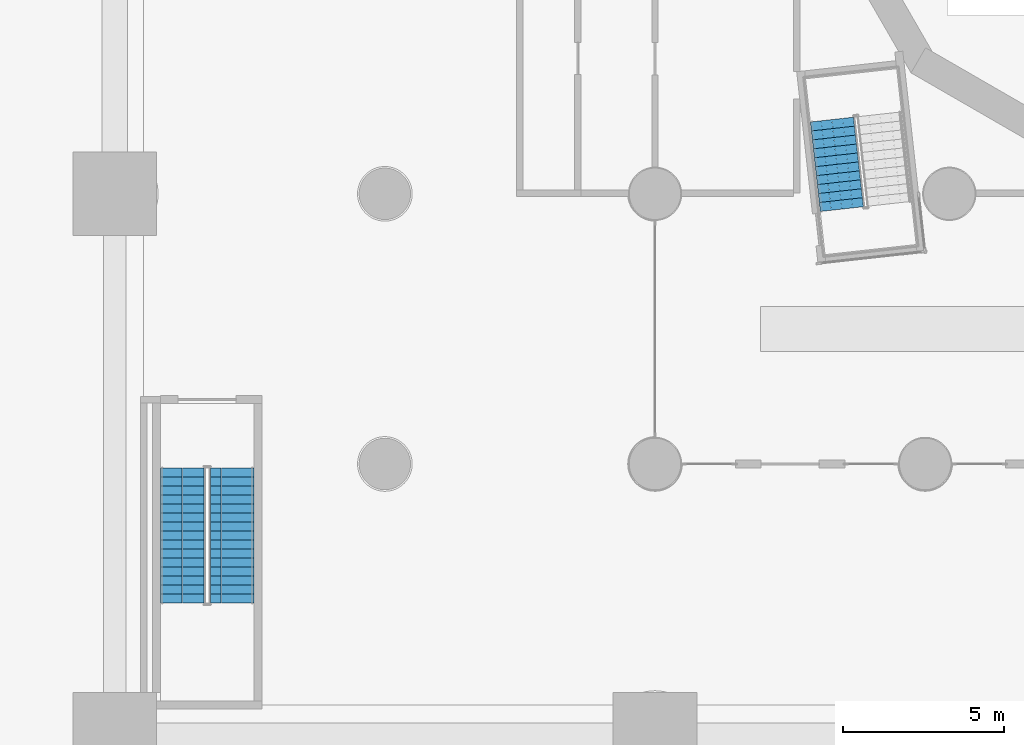
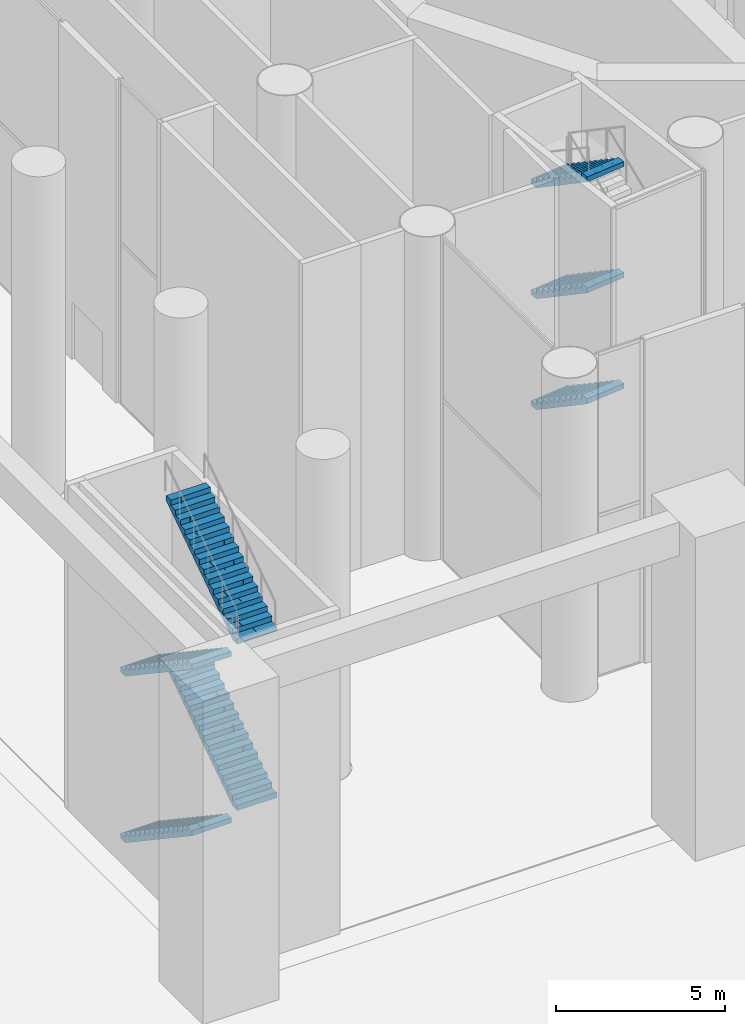
# One storey, part 18 of 52: 7 stair flights, 2 elements without a shape of their own.
"""IFC4 building model written with IfcOpenShell, lengths in metres."""

from ifc_helpers import new_model, si_unit, direction, frame, origin, place, context, subcontext, project, spatial, polyline, outline, extrude, material, type_object, element, aggregate, save


model = new_model("IFC4")

# Units and contexts
model_context = context("Model", 3, precision=1e-05, world=origin(), true_north=direction((0.0, 1.0)))
body_context = subcontext(model_context, "Body", "Model", "MODEL_VIEW")
ifc_project = project(units=[si_unit("LENGTHUNIT", "METRE"), si_unit("AREAUNIT", "SQUARE_METRE"), si_unit("VOLUMEUNIT", "CUBIC_METRE"), si_unit("PLANEANGLEUNIT", "RADIAN"), si_unit("MASSUNIT", "GRAM", prefix="KILO")], contexts=[model_context])

# Site, building, storey
site_placement = place(None, origin())
site = spatial("IfcSite", under=ifc_project, at=site_placement, CompositionType="ELEMENT")
building_placement = place(site_placement, origin())
building = spatial("IfcBuilding", under=site, at=building_placement, Name="Cantera Rosa Tower", CompositionType="ELEMENT")
storey_placement = place(building_placement, origin())
storey = spatial("IfcBuildingStorey", under=building, at=storey_placement, Name="L00", CompositionType="ELEMENT", Elevation=0.0)

# Stair, stair flights
ifc_material_1 = material(Name="Concrete C35/45", Category="concrete")
stair_type_1 = type_object("IfcStairType", Name="EXIT STAIR 1350 DOGLEG", PredefinedType="HALF_TURN_STAIR", material=ifc_material_1)
stair_1_placement = place(storey_placement, origin())
stair_1 = element("IfcStair", 1, at=stair_1_placement, inside=storey, type_object=stair_type_1, Name="L00 ST-13", PredefinedType="HALF_TURN_STAIR")
ifc_material_2 = material(Name="Concrete C35/45", Category="concrete")
stair_flight_type_1 = type_object("IfcStairFlightType", Name="STAIR FLIGHT 1350 R66x182", PredefinedType="STRAIGHT", material=ifc_material_2)
stair_flight_1_placement = place(storey_placement, frame((-11.2998046875, -10.291259765625, 2.0), z_axis=(0.0, 0.0, 1.0), x_axis=(0.110312549749, -0.993896947056, 0.0)))
stair_flight_1 = element("IfcStairFlight", 2, at=stair_flight_1_placement, type_object=stair_flight_type_1, Name="ST-13 flight 2", NumberOfRisers=11, NumberOfTreads=10, PredefinedType="STRAIGHT", RiserHeight=0.181818182, TreadLength=0.28, context=body_context, shape_type="SweptSolid", body=[
    extrude(outline(polyline([(0.0, 0.0), (0.0, 0.181884765625), (0.280029296875, 0.181884765625), (0.280029296875, 0.363525390625), (0.56005859375, 0.363525390625), (0.56005859375, 0.54541015625), (0.840087890625, 0.54541015625), (0.840087890625, 0.727294921875), (1.1201171875, 0.727294921875), (1.1201171875, 0.9091796875), (1.39990234375, 0.9091796875), (1.39990234375, 1.0908203125), (1.679931640625, 1.0908203125), (1.679931640625, 1.272705078125), (1.9599609375, 1.272705078125), (1.9599609375, 1.45458984375), (2.239990234375, 1.45458984375), (2.239990234375, 1.636474609375), (2.52001953125, 1.636474609375), (2.52001953125, 1.818115234375), (2.800048828125, 1.818115234375), (2.800048828125, 2.0), (2.800048828125, 1.639404296875), (0.275146484375, 0.0), (0.0, 0.0)])), frame((0.0, 0.675048828125, 0.0), z_axis=(0.0, -1.0, 0.0), x_axis=(1.0, 0.0, 0.0)), (0.0, 0.0, 1.0), 0.3359375),
    extrude(outline(polyline([(0.0, 0.0), (0.0, 0.181884765625), (0.280029296875, 0.181884765625), (0.280029296875, 0.363525390625), (0.56005859375, 0.363525390625), (0.56005859375, 0.54541015625), (0.840087890625, 0.54541015625), (0.840087890625, 0.727294921875), (1.1201171875, 0.727294921875), (1.1201171875, 0.9091796875), (1.39990234375, 0.9091796875), (1.39990234375, 1.0908203125), (1.679931640625, 1.0908203125), (1.679931640625, 1.272705078125), (1.9599609375, 1.272705078125), (1.9599609375, 1.45458984375), (2.239990234375, 1.45458984375), (2.239990234375, 1.636474609375), (2.52001953125, 1.636474609375), (2.52001953125, 1.818115234375), (2.800048828125, 1.818115234375), (2.800048828125, 2.0), (2.800048828125, 1.639404296875), (0.275146484375, 0.0), (0.0, 0.0)])), frame((0.0, 0.337158203125, 0.0), z_axis=(0.0, -1.0, 0.0), x_axis=(1.0, 0.0, 0.0)), (0.0, 0.0, 1.0), 0.3359375),
    extrude(outline(polyline([(0.0, 0.0), (0.0, 0.181884765625), (0.280029296875, 0.181884765625), (0.280029296875, 0.363525390625), (0.56005859375, 0.363525390625), (0.56005859375, 0.54541015625), (0.840087890625, 0.54541015625), (0.840087890625, 0.727294921875), (1.1201171875, 0.727294921875), (1.1201171875, 0.9091796875), (1.39990234375, 0.9091796875), (1.39990234375, 1.0908203125), (1.679931640625, 1.0908203125), (1.679931640625, 1.272705078125), (1.9599609375, 1.272705078125), (1.9599609375, 1.45458984375), (2.239990234375, 1.45458984375), (2.239990234375, 1.636474609375), (2.52001953125, 1.636474609375), (2.52001953125, 1.818115234375), (2.800048828125, 1.818115234375), (2.800048828125, 2.0), (2.800048828125, 1.639404296875), (0.275146484375, 0.0), (0.0, 0.0)])), frame((0.0, -0.000732421875, 0.0), z_axis=(0.0, -1.0, 0.0), x_axis=(1.0, 0.0, 0.0)), (0.0, 0.0, 1.0), 0.3359375),
    extrude(outline(polyline([(0.0, 0.0), (0.0, 0.181884765625), (0.280029296875, 0.181884765625), (0.280029296875, 0.363525390625), (0.56005859375, 0.363525390625), (0.56005859375, 0.54541015625), (0.840087890625, 0.54541015625), (0.840087890625, 0.727294921875), (1.1201171875, 0.727294921875), (1.1201171875, 0.9091796875), (1.39990234375, 0.9091796875), (1.39990234375, 1.0908203125), (1.679931640625, 1.0908203125), (1.679931640625, 1.272705078125), (1.9599609375, 1.272705078125), (1.9599609375, 1.45458984375), (2.239990234375, 1.45458984375), (2.239990234375, 1.636474609375), (2.52001953125, 1.636474609375), (2.52001953125, 1.818115234375), (2.800048828125, 1.818115234375), (2.800048828125, 2.0), (2.800048828125, 1.639404296875), (0.275146484375, 0.0), (0.0, 0.0)])), frame((0.0, -0.338623046875, 0.0), z_axis=(0.0, -1.0, 0.0), x_axis=(1.0, 0.0, 0.0)), (0.0, 0.0, 1.0), 0.3359375),
])
stair_flight_2_placement = place(storey_placement, frame((-11.2998046875, -10.291259765625, 6.0), z_axis=(0.0, 0.0, 1.0), x_axis=(0.110312549749, -0.993896947056, 0.0)))
stair_flight_2 = element("IfcStairFlight", 3, at=stair_flight_2_placement, type_object=stair_flight_type_1, Name="ST-13 flight 4", NumberOfRisers=11, NumberOfTreads=10, PredefinedType="STRAIGHT", RiserHeight=0.181818182, TreadLength=0.28, context=body_context, shape_type="SweptSolid", body=[
    extrude(outline(polyline([(0.0, 0.0), (0.0, 0.181884765625), (0.280029296875, 0.181884765625), (0.280029296875, 0.363525390625), (0.56005859375, 0.363525390625), (0.56005859375, 0.54541015625), (0.840087890625, 0.54541015625), (0.840087890625, 0.727294921875), (1.1201171875, 0.727294921875), (1.1201171875, 0.9091796875), (1.39990234375, 0.9091796875), (1.39990234375, 1.0908203125), (1.679931640625, 1.0908203125), (1.679931640625, 1.272705078125), (1.9599609375, 1.272705078125), (1.9599609375, 1.45458984375), (2.239990234375, 1.45458984375), (2.239990234375, 1.636474609375), (2.52001953125, 1.636474609375), (2.52001953125, 1.818115234375), (2.800048828125, 1.818115234375), (2.800048828125, 2.0), (2.800048828125, 1.639404296875), (0.275146484375, 0.0), (0.0, 0.0)])), frame((0.0, 0.675048828125, 0.0), z_axis=(0.0, -1.0, 0.0), x_axis=(1.0, 0.0, 0.0)), (0.0, 0.0, 1.0), 0.3359375),
    extrude(outline(polyline([(0.0, 0.0), (0.0, 0.181884765625), (0.280029296875, 0.181884765625), (0.280029296875, 0.363525390625), (0.56005859375, 0.363525390625), (0.56005859375, 0.54541015625), (0.840087890625, 0.54541015625), (0.840087890625, 0.727294921875), (1.1201171875, 0.727294921875), (1.1201171875, 0.9091796875), (1.39990234375, 0.9091796875), (1.39990234375, 1.0908203125), (1.679931640625, 1.0908203125), (1.679931640625, 1.272705078125), (1.9599609375, 1.272705078125), (1.9599609375, 1.45458984375), (2.239990234375, 1.45458984375), (2.239990234375, 1.636474609375), (2.52001953125, 1.636474609375), (2.52001953125, 1.818115234375), (2.800048828125, 1.818115234375), (2.800048828125, 2.0), (2.800048828125, 1.639404296875), (0.275146484375, 0.0), (0.0, 0.0)])), frame((0.0, 0.337158203125, 0.0), z_axis=(0.0, -1.0, 0.0), x_axis=(1.0, 0.0, 0.0)), (0.0, 0.0, 1.0), 0.3359375),
    extrude(outline(polyline([(0.0, 0.0), (0.0, 0.181884765625), (0.280029296875, 0.181884765625), (0.280029296875, 0.363525390625), (0.56005859375, 0.363525390625), (0.56005859375, 0.54541015625), (0.840087890625, 0.54541015625), (0.840087890625, 0.727294921875), (1.1201171875, 0.727294921875), (1.1201171875, 0.9091796875), (1.39990234375, 0.9091796875), (1.39990234375, 1.0908203125), (1.679931640625, 1.0908203125), (1.679931640625, 1.272705078125), (1.9599609375, 1.272705078125), (1.9599609375, 1.45458984375), (2.239990234375, 1.45458984375), (2.239990234375, 1.636474609375), (2.52001953125, 1.636474609375), (2.52001953125, 1.818115234375), (2.800048828125, 1.818115234375), (2.800048828125, 2.0), (2.800048828125, 1.639404296875), (0.275146484375, 0.0), (0.0, 0.0)])), frame((0.0, -0.000732421875, 0.0), z_axis=(0.0, -1.0, 0.0), x_axis=(1.0, 0.0, 0.0)), (0.0, 0.0, 1.0), 0.3359375),
    extrude(outline(polyline([(0.0, 0.0), (0.0, 0.181884765625), (0.280029296875, 0.181884765625), (0.280029296875, 0.363525390625), (0.56005859375, 0.363525390625), (0.56005859375, 0.54541015625), (0.840087890625, 0.54541015625), (0.840087890625, 0.727294921875), (1.1201171875, 0.727294921875), (1.1201171875, 0.9091796875), (1.39990234375, 0.9091796875), (1.39990234375, 1.0908203125), (1.679931640625, 1.0908203125), (1.679931640625, 1.272705078125), (1.9599609375, 1.272705078125), (1.9599609375, 1.45458984375), (2.239990234375, 1.45458984375), (2.239990234375, 1.636474609375), (2.52001953125, 1.636474609375), (2.52001953125, 1.818115234375), (2.800048828125, 1.818115234375), (2.800048828125, 2.0), (2.800048828125, 1.639404296875), (0.275146484375, 0.0), (0.0, 0.0)])), frame((0.0, -0.338623046875, 0.0), z_axis=(0.0, -1.0, 0.0), x_axis=(1.0, 0.0, 0.0)), (0.0, 0.0, 1.0), 0.3359375),
])
stair_flight_3_placement = place(storey_placement, frame((-11.2998046875, -10.291259765625, 10.0), z_axis=(0.0, 0.0, 1.0), x_axis=(0.110312549749, -0.993896947056, 0.0)))
stair_flight_3 = element("IfcStairFlight", 4, at=stair_flight_3_placement, type_object=stair_flight_type_1, Name="ST-13 flight 6", NumberOfRisers=11, NumberOfTreads=10, PredefinedType="STRAIGHT", RiserHeight=0.181818182, TreadLength=0.28, context=body_context, shape_type="SweptSolid", body=[
    extrude(outline(polyline([(0.0, 0.0), (0.0, 0.181884765625), (0.280029296875, 0.181884765625), (0.280029296875, 0.363525390625), (0.56005859375, 0.363525390625), (0.56005859375, 0.54541015625), (0.840087890625, 0.54541015625), (0.840087890625, 0.727294921875), (1.1201171875, 0.727294921875), (1.1201171875, 0.9091796875), (1.39990234375, 0.9091796875), (1.39990234375, 1.0908203125), (1.679931640625, 1.0908203125), (1.679931640625, 1.272705078125), (1.9599609375, 1.272705078125), (1.9599609375, 1.45458984375), (2.239990234375, 1.45458984375), (2.239990234375, 1.636474609375), (2.52001953125, 1.636474609375), (2.52001953125, 1.818115234375), (2.800048828125, 1.818115234375), (2.800048828125, 2.0), (2.800048828125, 1.639404296875), (0.275146484375, 0.0), (0.0, 0.0)])), frame((0.0, 0.675048828125, 0.0), z_axis=(0.0, -1.0, 0.0), x_axis=(1.0, 0.0, 0.0)), (0.0, 0.0, 1.0), 0.3359375),
    extrude(outline(polyline([(0.0, 0.0), (0.0, 0.181884765625), (0.280029296875, 0.181884765625), (0.280029296875, 0.363525390625), (0.56005859375, 0.363525390625), (0.56005859375, 0.54541015625), (0.840087890625, 0.54541015625), (0.840087890625, 0.727294921875), (1.1201171875, 0.727294921875), (1.1201171875, 0.9091796875), (1.39990234375, 0.9091796875), (1.39990234375, 1.0908203125), (1.679931640625, 1.0908203125), (1.679931640625, 1.272705078125), (1.9599609375, 1.272705078125), (1.9599609375, 1.45458984375), (2.239990234375, 1.45458984375), (2.239990234375, 1.636474609375), (2.52001953125, 1.636474609375), (2.52001953125, 1.818115234375), (2.800048828125, 1.818115234375), (2.800048828125, 2.0), (2.800048828125, 1.639404296875), (0.275146484375, 0.0), (0.0, 0.0)])), frame((0.0, 0.337158203125, 0.0), z_axis=(0.0, -1.0, 0.0), x_axis=(1.0, 0.0, 0.0)), (0.0, 0.0, 1.0), 0.3359375),
    extrude(outline(polyline([(0.0, 0.0), (0.0, 0.181884765625), (0.280029296875, 0.181884765625), (0.280029296875, 0.363525390625), (0.56005859375, 0.363525390625), (0.56005859375, 0.54541015625), (0.840087890625, 0.54541015625), (0.840087890625, 0.727294921875), (1.1201171875, 0.727294921875), (1.1201171875, 0.9091796875), (1.39990234375, 0.9091796875), (1.39990234375, 1.0908203125), (1.679931640625, 1.0908203125), (1.679931640625, 1.272705078125), (1.9599609375, 1.272705078125), (1.9599609375, 1.45458984375), (2.239990234375, 1.45458984375), (2.239990234375, 1.636474609375), (2.52001953125, 1.636474609375), (2.52001953125, 1.818115234375), (2.800048828125, 1.818115234375), (2.800048828125, 2.0), (2.800048828125, 1.639404296875), (0.275146484375, 0.0), (0.0, 0.0)])), frame((0.0, -0.000732421875, 0.0), z_axis=(0.0, -1.0, 0.0), x_axis=(1.0, 0.0, 0.0)), (0.0, 0.0, 1.0), 0.3359375),
    extrude(outline(polyline([(0.0, 0.0), (0.0, 0.181884765625), (0.280029296875, 0.181884765625), (0.280029296875, 0.363525390625), (0.56005859375, 0.363525390625), (0.56005859375, 0.54541015625), (0.840087890625, 0.54541015625), (0.840087890625, 0.727294921875), (1.1201171875, 0.727294921875), (1.1201171875, 0.9091796875), (1.39990234375, 0.9091796875), (1.39990234375, 1.0908203125), (1.679931640625, 1.0908203125), (1.679931640625, 1.272705078125), (1.9599609375, 1.272705078125), (1.9599609375, 1.45458984375), (2.239990234375, 1.45458984375), (2.239990234375, 1.636474609375), (2.52001953125, 1.636474609375), (2.52001953125, 1.818115234375), (2.800048828125, 1.818115234375), (2.800048828125, 2.0), (2.800048828125, 1.639404296875), (0.275146484375, 0.0), (0.0, 0.0)])), frame((0.0, -0.338623046875, 0.0), z_axis=(0.0, -1.0, 0.0), x_axis=(1.0, 0.0, 0.0)), (0.0, 0.0, 1.0), 0.3359375),
])
aggregate(stair_1, [stair_flight_1, stair_flight_2, stair_flight_3])

ifc_material_3 = material(Name="Concrete C35/45", Category="concrete")
stair_type_2 = type_object("IfcStairType", Name="Stair half-turn 1350", PredefinedType="HALF_TURN_STAIR", material=ifc_material_3)
stair_2_placement = place(storey_placement, origin())
stair_2 = element("IfcStair", 5, at=stair_2_placement, inside=storey, type_object=stair_type_2, Name="L00 ST-SW", PredefinedType="HALF_TURN_STAIR")
ifc_material_4 = material(Name="Concrete C35/45", Category="concrete")
stair_flight_type_2 = type_object("IfcStairFlightType", Name="Stair flight 1350", PredefinedType="STRAIGHT", material=ifc_material_4)
stair_flight_4_placement = place(storey_placement, frame((-31.5, -21.125, 0.0), z_axis=(0.0, 0.0, 1.0), x_axis=(0.0, -1.0, 0.0)))
stair_flight_4 = element("IfcStairFlight", 6, at=stair_flight_4_placement, type_object=stair_flight_type_2, Name="ST-SW flight 1", NumberOfRisers=16, NumberOfTreads=15, PredefinedType="STRAIGHT", RiserHeight=0.1875, TreadLength=0.28, context=body_context, shape_type="SweptSolid", body=[
    extrude(outline(polyline([(0.0, 0.0), (0.0, 0.1875), (0.280029296875, 0.1875), (0.280029296875, 0.375), (0.56005859375, 0.375), (0.56005859375, 0.5625), (0.840087890625, 0.5625), (0.840087890625, 0.75), (1.1201171875, 0.75), (1.1201171875, 0.9375), (1.39990234375, 0.9375), (1.39990234375, 1.125), (1.679931640625, 1.125), (1.679931640625, 1.3125), (1.9599609375, 1.3125), (1.9599609375, 1.5), (2.239990234375, 1.5), (2.239990234375, 1.6875), (2.52001953125, 1.6875), (2.52001953125, 1.875), (2.800048828125, 1.875), (2.800048828125, 2.0625), (3.080078125, 2.0625), (3.080078125, 2.25), (3.360107421875, 2.25), (3.360107421875, 2.4375), (3.639892578125, 2.4375), (3.639892578125, 2.625), (3.919921875, 2.625), (3.919921875, 2.8125), (4.199951171875, 2.8125), (4.199951171875, 3.0), (4.199951171875, 2.632080078125), (0.26953125, 0.0), (0.0, 0.0)])), frame((0.0, 0.675048828125, 0.0), z_axis=(0.0, -1.0, 0.0), x_axis=(1.0, 0.0, 0.0)), (0.0, 0.0, 1.0), 0.3359375),
    extrude(outline(polyline([(0.0, 0.0), (0.0, 0.1875), (0.280029296875, 0.1875), (0.280029296875, 0.375), (0.56005859375, 0.375), (0.56005859375, 0.5625), (0.840087890625, 0.5625), (0.840087890625, 0.75), (1.1201171875, 0.75), (1.1201171875, 0.9375), (1.39990234375, 0.9375), (1.39990234375, 1.125), (1.679931640625, 1.125), (1.679931640625, 1.3125), (1.9599609375, 1.3125), (1.9599609375, 1.5), (2.239990234375, 1.5), (2.239990234375, 1.6875), (2.52001953125, 1.6875), (2.52001953125, 1.875), (2.800048828125, 1.875), (2.800048828125, 2.0625), (3.080078125, 2.0625), (3.080078125, 2.25), (3.360107421875, 2.25), (3.360107421875, 2.4375), (3.639892578125, 2.4375), (3.639892578125, 2.625), (3.919921875, 2.625), (3.919921875, 2.8125), (4.199951171875, 2.8125), (4.199951171875, 3.0), (4.199951171875, 2.632080078125), (0.26953125, 0.0), (0.0, 0.0)])), frame((0.0, 0.337158203125, 0.0), z_axis=(0.0, -1.0, 0.0), x_axis=(1.0, 0.0, 0.0)), (0.0, 0.0, 1.0), 0.3359375),
    extrude(outline(polyline([(0.0, 0.0), (0.0, 0.1875), (0.280029296875, 0.1875), (0.280029296875, 0.375), (0.56005859375, 0.375), (0.56005859375, 0.5625), (0.840087890625, 0.5625), (0.840087890625, 0.75), (1.1201171875, 0.75), (1.1201171875, 0.9375), (1.39990234375, 0.9375), (1.39990234375, 1.125), (1.679931640625, 1.125), (1.679931640625, 1.3125), (1.9599609375, 1.3125), (1.9599609375, 1.5), (2.239990234375, 1.5), (2.239990234375, 1.6875), (2.52001953125, 1.6875), (2.52001953125, 1.875), (2.800048828125, 1.875), (2.800048828125, 2.0625), (3.080078125, 2.0625), (3.080078125, 2.25), (3.360107421875, 2.25), (3.360107421875, 2.4375), (3.639892578125, 2.4375), (3.639892578125, 2.625), (3.919921875, 2.625), (3.919921875, 2.8125), (4.199951171875, 2.8125), (4.199951171875, 3.0), (4.199951171875, 2.632080078125), (0.26953125, 0.0), (0.0, 0.0)])), frame((0.0, -0.000732421875, 0.0), z_axis=(0.0, -1.0, 0.0), x_axis=(1.0, 0.0, 0.0)), (0.0, 0.0, 1.0), 0.3359375),
    extrude(outline(polyline([(0.0, 0.0), (0.0, 0.1875), (0.280029296875, 0.1875), (0.280029296875, 0.375), (0.56005859375, 0.375), (0.56005859375, 0.5625), (0.840087890625, 0.5625), (0.840087890625, 0.75), (1.1201171875, 0.75), (1.1201171875, 0.9375), (1.39990234375, 0.9375), (1.39990234375, 1.125), (1.679931640625, 1.125), (1.679931640625, 1.3125), (1.9599609375, 1.3125), (1.9599609375, 1.5), (2.239990234375, 1.5), (2.239990234375, 1.6875), (2.52001953125, 1.6875), (2.52001953125, 1.875), (2.800048828125, 1.875), (2.800048828125, 2.0625), (3.080078125, 2.0625), (3.080078125, 2.25), (3.360107421875, 2.25), (3.360107421875, 2.4375), (3.639892578125, 2.4375), (3.639892578125, 2.625), (3.919921875, 2.625), (3.919921875, 2.8125), (4.199951171875, 2.8125), (4.199951171875, 3.0), (4.199951171875, 2.632080078125), (0.26953125, 0.0), (0.0, 0.0)])), frame((0.0, -0.338623046875, 0.0), z_axis=(0.0, -1.0, 0.0), x_axis=(1.0, 0.0, 0.0)), (0.0, 0.0, 1.0), 0.3359375),
])
stair_flight_5_placement = place(storey_placement, frame((-29.949951171875, -25.324951171875, 3.0), z_axis=(0.0, 0.0, 1.0), x_axis=(0.0, 1.0, 0.0)))
stair_flight_5 = element("IfcStairFlight", 7, at=stair_flight_5_placement, type_object=stair_flight_type_2, Name="ST-SW flight 2", NumberOfRisers=16, NumberOfTreads=15, PredefinedType="STRAIGHT", RiserHeight=0.1875, TreadLength=0.28, context=body_context, shape_type="SweptSolid", body=[
    extrude(outline(polyline([(0.0, 0.0), (0.0, 0.1875), (0.280029296875, 0.1875), (0.280029296875, 0.375), (0.56005859375, 0.375), (0.56005859375, 0.5625), (0.840087890625, 0.5625), (0.840087890625, 0.75), (1.1201171875, 0.75), (1.1201171875, 0.9375), (1.39990234375, 0.9375), (1.39990234375, 1.125), (1.679931640625, 1.125), (1.679931640625, 1.3125), (1.9599609375, 1.3125), (1.9599609375, 1.5), (2.239990234375, 1.5), (2.239990234375, 1.6875), (2.52001953125, 1.6875), (2.52001953125, 1.875), (2.800048828125, 1.875), (2.800048828125, 2.0625), (3.080078125, 2.0625), (3.080078125, 2.25), (3.360107421875, 2.25), (3.360107421875, 2.4375), (3.639892578125, 2.4375), (3.639892578125, 2.625), (3.919921875, 2.625), (3.919921875, 2.8125), (4.199951171875, 2.8125), (4.199951171875, 3.0), (4.199951171875, 2.632080078125), (0.26953125, 0.0), (0.0, 0.0)])), frame((0.0, 0.675048828125, 0.0), z_axis=(0.0, -1.0, 0.0), x_axis=(1.0, 0.0, 0.0)), (0.0, 0.0, 1.0), 0.3359375),
    extrude(outline(polyline([(0.0, 0.0), (0.0, 0.1875), (0.280029296875, 0.1875), (0.280029296875, 0.375), (0.56005859375, 0.375), (0.56005859375, 0.5625), (0.840087890625, 0.5625), (0.840087890625, 0.75), (1.1201171875, 0.75), (1.1201171875, 0.9375), (1.39990234375, 0.9375), (1.39990234375, 1.125), (1.679931640625, 1.125), (1.679931640625, 1.3125), (1.9599609375, 1.3125), (1.9599609375, 1.5), (2.239990234375, 1.5), (2.239990234375, 1.6875), (2.52001953125, 1.6875), (2.52001953125, 1.875), (2.800048828125, 1.875), (2.800048828125, 2.0625), (3.080078125, 2.0625), (3.080078125, 2.25), (3.360107421875, 2.25), (3.360107421875, 2.4375), (3.639892578125, 2.4375), (3.639892578125, 2.625), (3.919921875, 2.625), (3.919921875, 2.8125), (4.199951171875, 2.8125), (4.199951171875, 3.0), (4.199951171875, 2.632080078125), (0.26953125, 0.0), (0.0, 0.0)])), frame((0.0, 0.337158203125, 0.0), z_axis=(0.0, -1.0, 0.0), x_axis=(1.0, 0.0, 0.0)), (0.0, 0.0, 1.0), 0.3359375),
    extrude(outline(polyline([(0.0, 0.0), (0.0, 0.1875), (0.280029296875, 0.1875), (0.280029296875, 0.375), (0.56005859375, 0.375), (0.56005859375, 0.5625), (0.840087890625, 0.5625), (0.840087890625, 0.75), (1.1201171875, 0.75), (1.1201171875, 0.9375), (1.39990234375, 0.9375), (1.39990234375, 1.125), (1.679931640625, 1.125), (1.679931640625, 1.3125), (1.9599609375, 1.3125), (1.9599609375, 1.5), (2.239990234375, 1.5), (2.239990234375, 1.6875), (2.52001953125, 1.6875), (2.52001953125, 1.875), (2.800048828125, 1.875), (2.800048828125, 2.0625), (3.080078125, 2.0625), (3.080078125, 2.25), (3.360107421875, 2.25), (3.360107421875, 2.4375), (3.639892578125, 2.4375), (3.639892578125, 2.625), (3.919921875, 2.625), (3.919921875, 2.8125), (4.199951171875, 2.8125), (4.199951171875, 3.0), (4.199951171875, 2.632080078125), (0.26953125, 0.0), (0.0, 0.0)])), frame((0.0, -0.000732421875, 0.0), z_axis=(0.0, -1.0, 0.0), x_axis=(1.0, 0.0, 0.0)), (0.0, 0.0, 1.0), 0.3359375),
    extrude(outline(polyline([(0.0, 0.0), (0.0, 0.1875), (0.280029296875, 0.1875), (0.280029296875, 0.375), (0.56005859375, 0.375), (0.56005859375, 0.5625), (0.840087890625, 0.5625), (0.840087890625, 0.75), (1.1201171875, 0.75), (1.1201171875, 0.9375), (1.39990234375, 0.9375), (1.39990234375, 1.125), (1.679931640625, 1.125), (1.679931640625, 1.3125), (1.9599609375, 1.3125), (1.9599609375, 1.5), (2.239990234375, 1.5), (2.239990234375, 1.6875), (2.52001953125, 1.6875), (2.52001953125, 1.875), (2.800048828125, 1.875), (2.800048828125, 2.0625), (3.080078125, 2.0625), (3.080078125, 2.25), (3.360107421875, 2.25), (3.360107421875, 2.4375), (3.639892578125, 2.4375), (3.639892578125, 2.625), (3.919921875, 2.625), (3.919921875, 2.8125), (4.199951171875, 2.8125), (4.199951171875, 3.0), (4.199951171875, 2.632080078125), (0.26953125, 0.0), (0.0, 0.0)])), frame((0.0, -0.338623046875, 0.0), z_axis=(0.0, -1.0, 0.0), x_axis=(1.0, 0.0, 0.0)), (0.0, 0.0, 1.0), 0.3359375),
])
stair_flight_6_placement = place(storey_placement, frame((-31.5, -21.125, 6.0), z_axis=(0.0, 0.0, 1.0), x_axis=(0.0, -1.0, 0.0)))
stair_flight_6 = element("IfcStairFlight", 8, at=stair_flight_6_placement, type_object=stair_flight_type_2, Name="ST-SW flight 3", NumberOfRisers=16, NumberOfTreads=15, PredefinedType="STRAIGHT", RiserHeight=0.1875, TreadLength=0.28, context=body_context, shape_type="SweptSolid", body=[
    extrude(outline(polyline([(0.0, 0.0), (0.0, 0.1875), (0.280029296875, 0.1875), (0.280029296875, 0.375), (0.56005859375, 0.375), (0.56005859375, 0.5625), (0.840087890625, 0.5625), (0.840087890625, 0.75), (1.1201171875, 0.75), (1.1201171875, 0.9375), (1.39990234375, 0.9375), (1.39990234375, 1.125), (1.679931640625, 1.125), (1.679931640625, 1.3125), (1.9599609375, 1.3125), (1.9599609375, 1.5), (2.239990234375, 1.5), (2.239990234375, 1.6875), (2.52001953125, 1.6875), (2.52001953125, 1.875), (2.800048828125, 1.875), (2.800048828125, 2.0625), (3.080078125, 2.0625), (3.080078125, 2.25), (3.360107421875, 2.25), (3.360107421875, 2.4375), (3.639892578125, 2.4375), (3.639892578125, 2.625), (3.919921875, 2.625), (3.919921875, 2.8125), (4.199951171875, 2.8125), (4.199951171875, 3.0), (4.199951171875, 2.632080078125), (0.26953125, 0.0), (0.0, 0.0)])), frame((0.0, 0.675048828125, 0.0), z_axis=(0.0, -1.0, 0.0), x_axis=(1.0, 0.0, 0.0)), (0.0, 0.0, 1.0), 0.3359375),
    extrude(outline(polyline([(0.0, 0.0), (0.0, 0.1875), (0.280029296875, 0.1875), (0.280029296875, 0.375), (0.56005859375, 0.375), (0.56005859375, 0.5625), (0.840087890625, 0.5625), (0.840087890625, 0.75), (1.1201171875, 0.75), (1.1201171875, 0.9375), (1.39990234375, 0.9375), (1.39990234375, 1.125), (1.679931640625, 1.125), (1.679931640625, 1.3125), (1.9599609375, 1.3125), (1.9599609375, 1.5), (2.239990234375, 1.5), (2.239990234375, 1.6875), (2.52001953125, 1.6875), (2.52001953125, 1.875), (2.800048828125, 1.875), (2.800048828125, 2.0625), (3.080078125, 2.0625), (3.080078125, 2.25), (3.360107421875, 2.25), (3.360107421875, 2.4375), (3.639892578125, 2.4375), (3.639892578125, 2.625), (3.919921875, 2.625), (3.919921875, 2.8125), (4.199951171875, 2.8125), (4.199951171875, 3.0), (4.199951171875, 2.632080078125), (0.26953125, 0.0), (0.0, 0.0)])), frame((0.0, 0.337158203125, 0.0), z_axis=(0.0, -1.0, 0.0), x_axis=(1.0, 0.0, 0.0)), (0.0, 0.0, 1.0), 0.3359375),
    extrude(outline(polyline([(0.0, 0.0), (0.0, 0.1875), (0.280029296875, 0.1875), (0.280029296875, 0.375), (0.56005859375, 0.375), (0.56005859375, 0.5625), (0.840087890625, 0.5625), (0.840087890625, 0.75), (1.1201171875, 0.75), (1.1201171875, 0.9375), (1.39990234375, 0.9375), (1.39990234375, 1.125), (1.679931640625, 1.125), (1.679931640625, 1.3125), (1.9599609375, 1.3125), (1.9599609375, 1.5), (2.239990234375, 1.5), (2.239990234375, 1.6875), (2.52001953125, 1.6875), (2.52001953125, 1.875), (2.800048828125, 1.875), (2.800048828125, 2.0625), (3.080078125, 2.0625), (3.080078125, 2.25), (3.360107421875, 2.25), (3.360107421875, 2.4375), (3.639892578125, 2.4375), (3.639892578125, 2.625), (3.919921875, 2.625), (3.919921875, 2.8125), (4.199951171875, 2.8125), (4.199951171875, 3.0), (4.199951171875, 2.632080078125), (0.26953125, 0.0), (0.0, 0.0)])), frame((0.0, -0.000732421875, 0.0), z_axis=(0.0, -1.0, 0.0), x_axis=(1.0, 0.0, 0.0)), (0.0, 0.0, 1.0), 0.3359375),
    extrude(outline(polyline([(0.0, 0.0), (0.0, 0.1875), (0.280029296875, 0.1875), (0.280029296875, 0.375), (0.56005859375, 0.375), (0.56005859375, 0.5625), (0.840087890625, 0.5625), (0.840087890625, 0.75), (1.1201171875, 0.75), (1.1201171875, 0.9375), (1.39990234375, 0.9375), (1.39990234375, 1.125), (1.679931640625, 1.125), (1.679931640625, 1.3125), (1.9599609375, 1.3125), (1.9599609375, 1.5), (2.239990234375, 1.5), (2.239990234375, 1.6875), (2.52001953125, 1.6875), (2.52001953125, 1.875), (2.800048828125, 1.875), (2.800048828125, 2.0625), (3.080078125, 2.0625), (3.080078125, 2.25), (3.360107421875, 2.25), (3.360107421875, 2.4375), (3.639892578125, 2.4375), (3.639892578125, 2.625), (3.919921875, 2.625), (3.919921875, 2.8125), (4.199951171875, 2.8125), (4.199951171875, 3.0), (4.199951171875, 2.632080078125), (0.26953125, 0.0), (0.0, 0.0)])), frame((0.0, -0.338623046875, 0.0), z_axis=(0.0, -1.0, 0.0), x_axis=(1.0, 0.0, 0.0)), (0.0, 0.0, 1.0), 0.3359375),
])
stair_flight_7_placement = place(storey_placement, frame((-29.949951171875, -25.324951171875, 9.0), z_axis=(0.0, 0.0, 1.0), x_axis=(0.0, 1.0, 0.0)))
stair_flight_7 = element("IfcStairFlight", 9, at=stair_flight_7_placement, type_object=stair_flight_type_2, Name="ST-SW flight 4", NumberOfRisers=16, NumberOfTreads=15, PredefinedType="STRAIGHT", RiserHeight=0.1875, TreadLength=0.28, context=body_context, shape_type="SweptSolid", body=[
    extrude(outline(polyline([(0.0, 0.0), (0.0, 0.1875), (0.280029296875, 0.1875), (0.280029296875, 0.375), (0.56005859375, 0.375), (0.56005859375, 0.5625), (0.840087890625, 0.5625), (0.840087890625, 0.75), (1.1201171875, 0.75), (1.1201171875, 0.9375), (1.39990234375, 0.9375), (1.39990234375, 1.125), (1.679931640625, 1.125), (1.679931640625, 1.3125), (1.9599609375, 1.3125), (1.9599609375, 1.5), (2.239990234375, 1.5), (2.239990234375, 1.6875), (2.52001953125, 1.6875), (2.52001953125, 1.875), (2.800048828125, 1.875), (2.800048828125, 2.0625), (3.080078125, 2.0625), (3.080078125, 2.25), (3.360107421875, 2.25), (3.360107421875, 2.4375), (3.639892578125, 2.4375), (3.639892578125, 2.625), (3.919921875, 2.625), (3.919921875, 2.8125), (4.199951171875, 2.8125), (4.199951171875, 3.0), (4.199951171875, 2.632080078125), (0.26953125, 0.0), (0.0, 0.0)])), frame((0.0, 0.675048828125, 0.0), z_axis=(0.0, -1.0, 0.0), x_axis=(1.0, 0.0, 0.0)), (0.0, 0.0, 1.0), 0.3359375),
    extrude(outline(polyline([(0.0, 0.0), (0.0, 0.1875), (0.280029296875, 0.1875), (0.280029296875, 0.375), (0.56005859375, 0.375), (0.56005859375, 0.5625), (0.840087890625, 0.5625), (0.840087890625, 0.75), (1.1201171875, 0.75), (1.1201171875, 0.9375), (1.39990234375, 0.9375), (1.39990234375, 1.125), (1.679931640625, 1.125), (1.679931640625, 1.3125), (1.9599609375, 1.3125), (1.9599609375, 1.5), (2.239990234375, 1.5), (2.239990234375, 1.6875), (2.52001953125, 1.6875), (2.52001953125, 1.875), (2.800048828125, 1.875), (2.800048828125, 2.0625), (3.080078125, 2.0625), (3.080078125, 2.25), (3.360107421875, 2.25), (3.360107421875, 2.4375), (3.639892578125, 2.4375), (3.639892578125, 2.625), (3.919921875, 2.625), (3.919921875, 2.8125), (4.199951171875, 2.8125), (4.199951171875, 3.0), (4.199951171875, 2.632080078125), (0.26953125, 0.0), (0.0, 0.0)])), frame((0.0, 0.337158203125, 0.0), z_axis=(0.0, -1.0, 0.0), x_axis=(1.0, 0.0, 0.0)), (0.0, 0.0, 1.0), 0.3359375),
    extrude(outline(polyline([(0.0, 0.0), (0.0, 0.1875), (0.280029296875, 0.1875), (0.280029296875, 0.375), (0.56005859375, 0.375), (0.56005859375, 0.5625), (0.840087890625, 0.5625), (0.840087890625, 0.75), (1.1201171875, 0.75), (1.1201171875, 0.9375), (1.39990234375, 0.9375), (1.39990234375, 1.125), (1.679931640625, 1.125), (1.679931640625, 1.3125), (1.9599609375, 1.3125), (1.9599609375, 1.5), (2.239990234375, 1.5), (2.239990234375, 1.6875), (2.52001953125, 1.6875), (2.52001953125, 1.875), (2.800048828125, 1.875), (2.800048828125, 2.0625), (3.080078125, 2.0625), (3.080078125, 2.25), (3.360107421875, 2.25), (3.360107421875, 2.4375), (3.639892578125, 2.4375), (3.639892578125, 2.625), (3.919921875, 2.625), (3.919921875, 2.8125), (4.199951171875, 2.8125), (4.199951171875, 3.0), (4.199951171875, 2.632080078125), (0.26953125, 0.0), (0.0, 0.0)])), frame((0.0, -0.000732421875, 0.0), z_axis=(0.0, -1.0, 0.0), x_axis=(1.0, 0.0, 0.0)), (0.0, 0.0, 1.0), 0.3359375),
    extrude(outline(polyline([(0.0, 0.0), (0.0, 0.1875), (0.280029296875, 0.1875), (0.280029296875, 0.375), (0.56005859375, 0.375), (0.56005859375, 0.5625), (0.840087890625, 0.5625), (0.840087890625, 0.75), (1.1201171875, 0.75), (1.1201171875, 0.9375), (1.39990234375, 0.9375), (1.39990234375, 1.125), (1.679931640625, 1.125), (1.679931640625, 1.3125), (1.9599609375, 1.3125), (1.9599609375, 1.5), (2.239990234375, 1.5), (2.239990234375, 1.6875), (2.52001953125, 1.6875), (2.52001953125, 1.875), (2.800048828125, 1.875), (2.800048828125, 2.0625), (3.080078125, 2.0625), (3.080078125, 2.25), (3.360107421875, 2.25), (3.360107421875, 2.4375), (3.639892578125, 2.4375), (3.639892578125, 2.625), (3.919921875, 2.625), (3.919921875, 2.8125), (4.199951171875, 2.8125), (4.199951171875, 3.0), (4.199951171875, 2.632080078125), (0.26953125, 0.0), (0.0, 0.0)])), frame((0.0, -0.338623046875, 0.0), z_axis=(0.0, -1.0, 0.0), x_axis=(1.0, 0.0, 0.0)), (0.0, 0.0, 1.0), 0.3359375),
])
aggregate(stair_2, [stair_flight_4, stair_flight_5, stair_flight_6, stair_flight_7])

save(model, "model.ifc")
